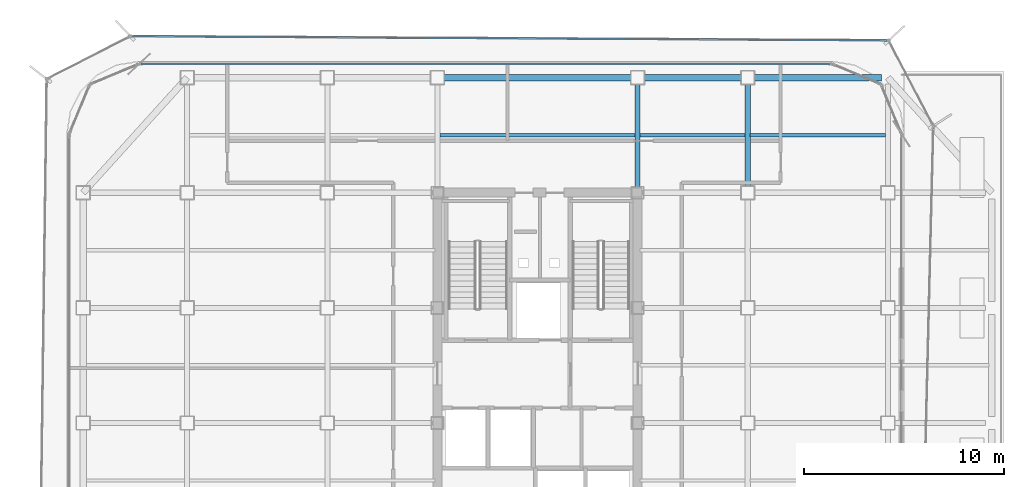
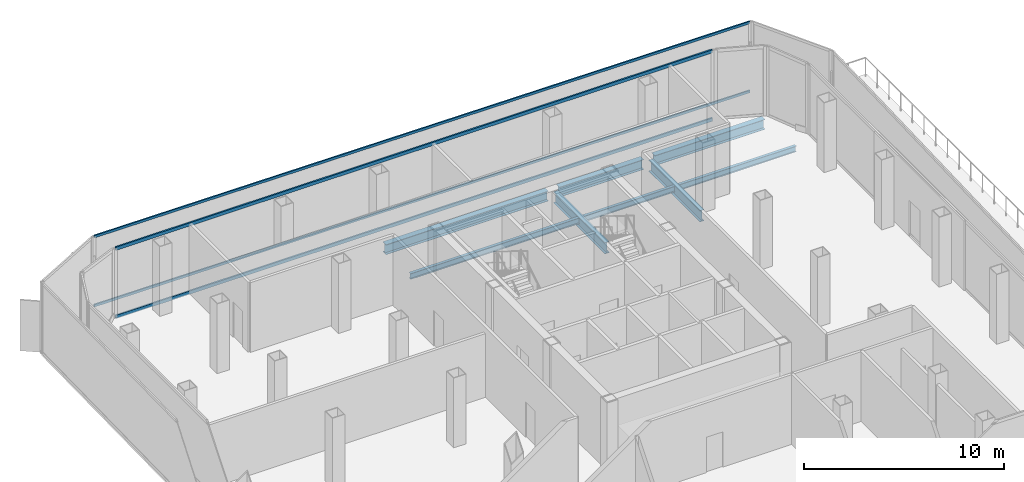
# One storey, part 7 of 14: 8 beams, 4 members, 2 elements without a shape of their own.
"""IFC4 building model written with IfcOpenShell, lengths in metres."""

from ifc_helpers import new_model, si_unit, direction, frame, origin, origin_2d, place, context, subcontext, project, spatial, hollow_rectangle, i_section, extrude, source, transform, mapped, material, layer, layer_set, material_profile, profile_set, type_object, element, aggregate, save


model = new_model("IFC4")

# Units and contexts
model_context = context("Model", 3, precision=1e-05, world=origin(), true_north=direction((0.0, 1.0)))
body_context = subcontext(model_context, "Body", "Model", "MODEL_VIEW")
ifc_project = project(units=[si_unit("LENGTHUNIT", "METRE"), si_unit("AREAUNIT", "SQUARE_METRE"), si_unit("VOLUMEUNIT", "CUBIC_METRE"), si_unit("PLANEANGLEUNIT", "RADIAN"), si_unit("MASSUNIT", "GRAM", prefix="KILO")], contexts=[model_context])

# Site, building, storey
site_placement = place(None, origin())
site = spatial("IfcSite", under=ifc_project, at=site_placement, CompositionType="ELEMENT")
building_placement = place(site_placement, origin())
building = spatial("IfcBuilding", under=site, at=building_placement, Name="Kolveth Station Tower", CompositionType="ELEMENT")
storey_placement = place(building_placement, frame((0.0, 0.0, 151.60009765625)))
storey = spatial("IfcBuildingStorey", under=building, at=storey_placement, Name="L42", CompositionType="ELEMENT", Elevation=151.60009765625)

# Beams
ifc_material_1 = material(Name="Steel S355", Category="steel")
ifc_material_profile_1 = material_profile(ifc_material_1, i_section(OverallWidth=0.323974609375, OverallDepth=0.611083984375, WebThickness=0.0126953125, FlangeThickness=0.01904296875, at=origin_2d()), Name="W610x155")
ifc_profile_set_1 = profile_set([ifc_material_profile_1], Name="Steel S355")
beam_type_1 = type_object("IfcBeamType", Name="Beam_SP2", PredefinedType="SPANDREL", material=ifc_profile_set_1)
shared_shape_1 = source(origin(), body_context, "Body", "SweptSolid", [
    extrude(i_section(OverallWidth=0.323974609375, OverallDepth=0.611083984375, WebThickness=0.0126953125, FlangeThickness=0.01904296875, at=origin_2d()), origin(), (0.0, 0.0, 1.0), 6.35986328125),
])
beam_1_placement = place(storey_placement, frame((34.320068359375, 34.5, -0.66552734375), z_axis=(1.0, 0.0, 0.0), x_axis=(0.0, 1.0, 0.0)))
element("IfcBeam", 1, at=beam_1_placement, inside=storey, type_object=beam_type_1, Name="L42 Perimeter Spandrel BM-L42-PN-5", PredefinedType="SPANDREL", context=body_context, shape_type="MappedRepresentation", body=[
    mapped(shared_shape_1, transform((0.0, 0.0, 0.0), x_axis=(1.0, 0.0, 0.0), y_axis=(0.0, 1.0, 0.0), z_axis=(0.0, 0.0, 1.0), scale=1.0)),
])
shared_shape_2 = source(origin(), body_context, "Body", "SweptSolid", [
    extrude(i_section(OverallWidth=0.323974609375, OverallDepth=0.611083984375, WebThickness=0.0126953125, FlangeThickness=0.01904296875, at=origin_2d()), origin(), (0.0, 0.0, 1.0), 4.85986328125),
])
beam_2_placement = place(storey_placement, frame((28.820068359375, 34.5, -0.66552734375), z_axis=(1.0, 0.0, 0.0), x_axis=(0.0, 1.0, 0.0)))
element("IfcBeam", 2, at=beam_2_placement, inside=storey, type_object=beam_type_1, Name="L42 Perimeter Spandrel BM-L42-PN-4", PredefinedType="SPANDREL", context=body_context, shape_type="MappedRepresentation", body=[
    mapped(shared_shape_2, transform((0.0, 0.0, 0.0), x_axis=(1.0, 0.0, 0.0), y_axis=(0.0, 1.0, 0.0), z_axis=(0.0, 0.0, 1.0), scale=1.0)),
])
shared_shape_3 = source(origin(), body_context, "Body", "SweptSolid", [
    extrude(i_section(OverallWidth=0.323974609375, OverallDepth=0.611083984375, WebThickness=0.0126953125, FlangeThickness=0.01904296875, at=origin_2d()), origin(), (0.0, 0.0, 1.0), 9.35986328125),
])
beam_3_placement = place(storey_placement, frame((18.820068359375, 34.5, -0.66552734375), z_axis=(1.0, 0.0, 0.0), x_axis=(0.0, 1.0, 0.0)))
element("IfcBeam", 3, at=beam_3_placement, inside=storey, type_object=beam_type_1, Name="L42 Perimeter Spandrel BM-L42-PN-3", PredefinedType="SPANDREL", context=body_context, shape_type="MappedRepresentation", body=[
    mapped(shared_shape_3, transform((0.0, 0.0, 0.0), x_axis=(1.0, 0.0, 0.0), y_axis=(0.0, 1.0, 0.0), z_axis=(0.0, 0.0, 1.0), scale=1.0)),
])
ifc_material_profile_2 = material_profile(ifc_material_1, i_section(OverallWidth=0.25390625, OverallDepth=0.68798828125, WebThickness=0.01318359375, FlangeThickness=0.02099609375, at=origin_2d()), Name="W690x152")
ifc_profile_set_2 = profile_set([ifc_material_profile_2], Name="Steel S355")
beam_type_2 = type_object("IfcBeamType", Name="Beam_B4", PredefinedType="BEAM", material=ifc_profile_set_2)
shared_shape_4 = source(origin(), body_context, "Body", "SweptSolid", [
    extrude(i_section(OverallWidth=0.25390625, OverallDepth=0.68798828125, WebThickness=0.01318359375, FlangeThickness=0.02099609375, at=origin_2d()), origin(), (0.0, 0.0, 1.0), 5.10986328125),
])
beam_4_placement = place(storey_placement, frame((34.0, 29.070068359375, -0.7041015625), z_axis=(0.0, 1.0, 0.0), x_axis=(-1.0, 0.0, 0.0)))
element("IfcBeam", 4, at=beam_4_placement, inside=storey, type_object=beam_type_2, Name="L42 Primary Girder BM-L42-GX340-6", PredefinedType="BEAM", context=body_context, shape_type="MappedRepresentation", body=[
    mapped(shared_shape_4, transform((0.0, 0.0, 0.0), x_axis=(1.0, 0.0, 0.0), y_axis=(0.0, 1.0, 0.0), z_axis=(0.0, 0.0, 1.0), scale=1.0)),
])
shared_shape_5 = source(origin(), body_context, "Body", "SweptSolid", [
    extrude(i_section(OverallWidth=0.25390625, OverallDepth=0.68798828125, WebThickness=0.01318359375, FlangeThickness=0.02099609375, at=origin_2d()), origin(), (0.0, 0.0, 1.0), 5.14990234375),
])
beam_5_placement = place(storey_placement, frame((28.5, 29.030029296875, -0.7041015625), z_axis=(0.0, 1.0, 0.0), x_axis=(-1.0, 0.0, 0.0)))
element("IfcBeam", 5, at=beam_5_placement, inside=storey, type_object=beam_type_2, Name="L42 Primary Girder BM-L42-GX285-6", PredefinedType="BEAM", context=body_context, shape_type="MappedRepresentation", body=[
    mapped(shared_shape_5, transform((0.0, 0.0, 0.0), x_axis=(1.0, 0.0, 0.0), y_axis=(0.0, 1.0, 0.0), z_axis=(0.0, 0.0, 1.0), scale=1.0)),
])
ifc_material_profile_3 = material_profile(ifc_material_1, i_section(OverallWidth=0.1708984375, OverallDepth=0.35205078125, WebThickness=0.0068359375, FlangeThickness=0.009765625, at=origin_2d()), Name="W360x44")
ifc_profile_set_3 = profile_set([ifc_material_profile_3], Name="Steel S355")
beam_type_3 = type_object("IfcBeamType", Name="Beam_J2", PredefinedType="JOIST", material=ifc_profile_set_3)
shared_shape_6 = source(origin(), body_context, "Body", "SweptSolid", [
    extrude(i_section(OverallWidth=0.1708984375, OverallDepth=0.35205078125, WebThickness=0.0068359375, FlangeThickness=0.009765625, at=origin_2d()), origin(), (0.0, 0.0, 1.0), 6.75),
])
beam_6_placement = place(storey_placement, frame((34.125, 31.625, -0.5361328125), z_axis=(1.0, 0.0, 0.0), x_axis=(0.0, 1.0, 0.0)))
element("IfcBeam", 6, at=beam_6_placement, inside=storey, type_object=beam_type_3, Name="L42 Secondary Joist JST-L42-6-6", PredefinedType="JOIST", context=body_context, shape_type="MappedRepresentation", body=[
    mapped(shared_shape_6, transform((0.0, 0.0, 0.0), x_axis=(1.0, 0.0, 0.0), y_axis=(0.0, 1.0, 0.0), z_axis=(0.0, 0.0, 1.0), scale=1.0)),
])
shared_shape_7 = source(origin(), body_context, "Body", "SweptSolid", [
    extrude(i_section(OverallWidth=0.1708984375, OverallDepth=0.35205078125, WebThickness=0.0068359375, FlangeThickness=0.009765625, at=origin_2d()), origin(), (0.0, 0.0, 1.0), 5.25),
])
beam_7_placement = place(storey_placement, frame((28.625, 31.625, -0.5361328125), z_axis=(1.0, 0.0, 0.0), x_axis=(0.0, 1.0, 0.0)))
element("IfcBeam", 7, at=beam_7_placement, inside=storey, type_object=beam_type_3, Name="L42 Secondary Joist JST-L42-5-6", PredefinedType="JOIST", context=body_context, shape_type="MappedRepresentation", body=[
    mapped(shared_shape_7, transform((0.0, 0.0, 0.0), x_axis=(1.0, 0.0, 0.0), y_axis=(0.0, 1.0, 0.0), z_axis=(0.0, 0.0, 1.0), scale=1.0)),
])
shared_shape_8 = source(origin(), body_context, "Body", "SweptSolid", [
    extrude(i_section(OverallWidth=0.1708984375, OverallDepth=0.35205078125, WebThickness=0.0068359375, FlangeThickness=0.009765625, at=origin_2d()), origin(), (0.0, 0.0, 1.0), 9.75),
])
beam_8_placement = place(storey_placement, frame((18.625, 31.625, -0.5361328125), z_axis=(1.0, 0.0, 0.0), x_axis=(0.0, 1.0, 0.0)))
element("IfcBeam", 8, at=beam_8_placement, inside=storey, type_object=beam_type_3, Name="L42 Secondary Joist JST-L42-4-6", PredefinedType="JOIST", context=body_context, shape_type="MappedRepresentation", body=[
    mapped(shared_shape_8, transform((0.0, 0.0, 0.0), x_axis=(1.0, 0.0, 0.0), y_axis=(0.0, 1.0, 0.0), z_axis=(0.0, 0.0, 1.0), scale=1.0)),
])

# Curtain wall, members
ifc_material_2 = material(Name="Aluminium 6063-T6 and acoustic laminated dark glass", Category="aluminium")
ifc_layer_1 = layer(ifc_material_2, 0.219970703125)
ifc_layer_set_1 = layer_set([ifc_layer_1], Name="Aluminium 6063-T6 and acoustic laminated dark glass")
curtain_wall_type_1 = type_object("IfcCurtainWallType", Name="CurtainWall_CW-SL", PredefinedType="NOTDEFINED", material=ifc_layer_set_1)
curtain_wall_1_placement = place(storey_placement, origin())
curtain_wall_1 = element("IfcCurtainWall", 9, at=curtain_wall_1_placement, inside=storey, type_object=curtain_wall_type_1, Name="L42 Inner Thermal Curtain Wall 6", PredefinedType="NOTDEFINED")
ifc_material_3 = material(Name="Black anodized aluminium 6063-T6", Category="aluminium")
ifc_material_profile_4 = material_profile(ifc_material_3, hollow_rectangle(XDim=0.090087890625, YDim=0.199951171875, WallThickness=0.0048828125, at=origin_2d()), Name="ALU-90x200x5")
ifc_profile_set_4 = profile_set([ifc_material_profile_4], Name="Black anodized aluminium 6063-T6")
member_type_1 = type_object("IfcMemberType", Name="Transom_TR-SL", PredefinedType="USERDEFINED", material=ifc_profile_set_4)
shared_shape_9 = source(origin(), body_context, "Body", "SweptSolid", [
    extrude(hollow_rectangle(XDim=0.090087890625, YDim=0.199951171875, WallThickness=0.0048828125, at=origin_2d()), origin(), (0.0, 0.0, 1.0), 34.409912109375),
])
member_1_placement = place(storey_placement, frame((38.10498046875, 35.179931640625, 0.044921875), z_axis=(-1.0, 0.0, 0.0), x_axis=(0.0, -1.0, 0.0)))
member_1 = element("IfcMember", 10, at=member_1_placement, type_object=member_type_1, Name="CW-SL transom 1.1", ObjectType="TRANSOM", PredefinedType="USERDEFINED", context=body_context, shape_type="MappedRepresentation", body=[
    mapped(shared_shape_9, transform((0.0, 0.0, 0.0), x_axis=(1.0, 0.0, 0.0), y_axis=(0.0, 1.0, 0.0), z_axis=(0.0, 0.0, 1.0), scale=1.0)),
])
member_2_placement = place(storey_placement, frame((38.10498046875, 35.179931640625, 4.204833984375), z_axis=(-1.0, 0.0, 0.0), x_axis=(0.0, -1.0, 0.0)))
member_2 = element("IfcMember", 11, at=member_2_placement, type_object=member_type_1, Name="CW-SL transom 1.2", ObjectType="TRANSOM", PredefinedType="USERDEFINED", context=body_context, shape_type="MappedRepresentation", body=[
    mapped(shared_shape_9, transform((0.0, 0.0, 0.0), x_axis=(1.0, 0.0, 0.0), y_axis=(0.0, 1.0, 0.0), z_axis=(0.0, 0.0, 1.0), scale=1.0)),
])
aggregate(curtain_wall_1, [member_1, member_2])

ifc_material_4 = material(Name="Black anodized aluminium 6063-T6 and dark solar glass", Category="aluminium")
ifc_layer_2 = layer(ifc_material_4, 0.159912109375)
ifc_layer_set_2 = layer_set([ifc_layer_2], Name="Black anodized aluminium 6063-T6 and dark solar glass")
curtain_wall_type_2 = type_object("IfcCurtainWallType", Name="OUTER SKIN CW-OS", PredefinedType="NOTDEFINED", material=ifc_layer_set_2)
curtain_wall_2_placement = place(storey_placement, origin())
curtain_wall_2 = element("IfcCurtainWall", 12, at=curtain_wall_2_placement, inside=storey, type_object=curtain_wall_type_2, Name="L42 Outer Ventilated Skin Curtain Wall 4", PredefinedType="NOTDEFINED")
ifc_material_profile_5 = material_profile(ifc_material_3, hollow_rectangle(XDim=0.080078125, YDim=0.14990234375, WallThickness=0.0048828125, at=origin_2d()), Name="ALU-80x150x5")
ifc_profile_set_5 = profile_set([ifc_material_profile_5], Name="Black anodized aluminium 6063-T6")
member_type_2 = type_object("IfcMemberType", Name="Transom_TR-OS", PredefinedType="USERDEFINED", material=ifc_profile_set_5)
shared_shape_10 = source(origin(), body_context, "Body", "SweptSolid", [
    extrude(hollow_rectangle(XDim=0.080078125, YDim=0.14990234375, WallThickness=0.0048828125, at=origin_2d()), origin(), (0.0, 0.0, 1.0), 37.69140625),
])
member_3_placement = place(storey_placement, frame((40.949951171875, 36.354736328125, 0.039794921875), z_axis=(-0.999984771892, 0.005518694055, 0.0), x_axis=(-0.005518694055, -0.999984771892, 0.0)))
member_3 = element("IfcMember", 13, at=member_3_placement, type_object=member_type_2, Name="CW-OS transom 1.1", ObjectType="TRANSOM", PredefinedType="USERDEFINED", context=body_context, shape_type="MappedRepresentation", body=[
    mapped(shared_shape_10, transform((0.0, 0.0, 0.0), x_axis=(1.0, 0.0, 0.0), y_axis=(0.0, 1.0, 0.0), z_axis=(0.0, 0.0, 1.0), scale=1.0)),
])
member_4_placement = place(storey_placement, frame((40.949951171875, 36.354736328125, 4.25), z_axis=(-0.999984771892, 0.005518694055, 0.0), x_axis=(-0.005518694055, -0.999984771892, 0.0)))
member_4 = element("IfcMember", 14, at=member_4_placement, type_object=member_type_2, Name="CW-OS transom 1.2", ObjectType="TRANSOM", PredefinedType="USERDEFINED", context=body_context, shape_type="MappedRepresentation", body=[
    mapped(shared_shape_10, transform((0.0, 0.0, 0.0), x_axis=(1.0, 0.0, 0.0), y_axis=(0.0, 1.0, 0.0), z_axis=(0.0, 0.0, 1.0), scale=1.0)),
])
aggregate(curtain_wall_2, [member_3, member_4])

save(model, "model.ifc")
